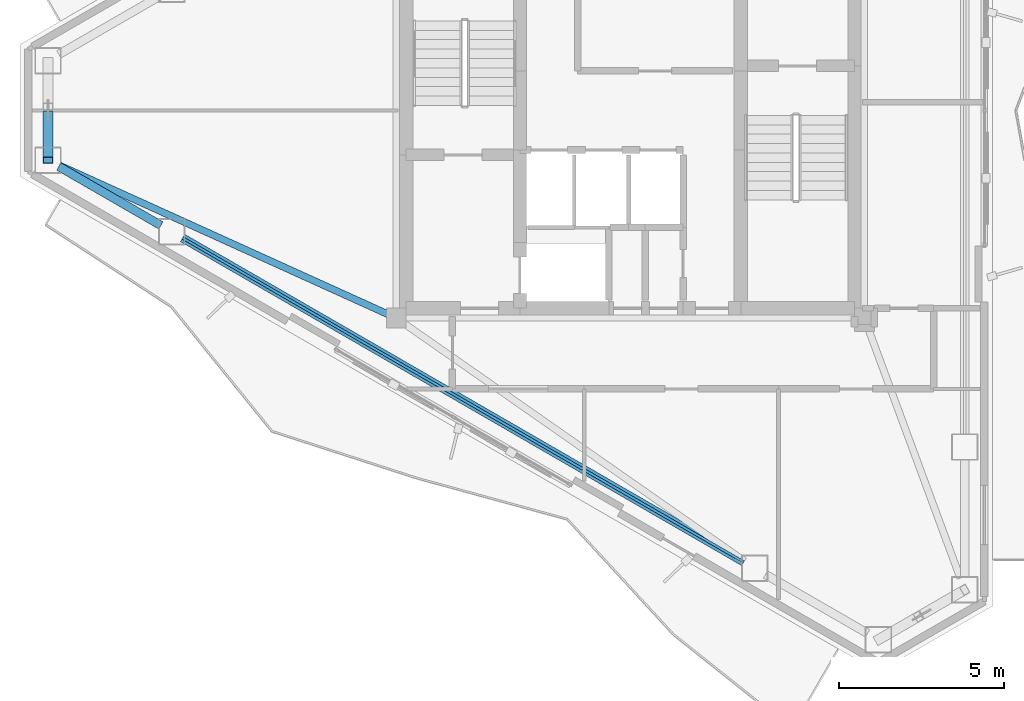
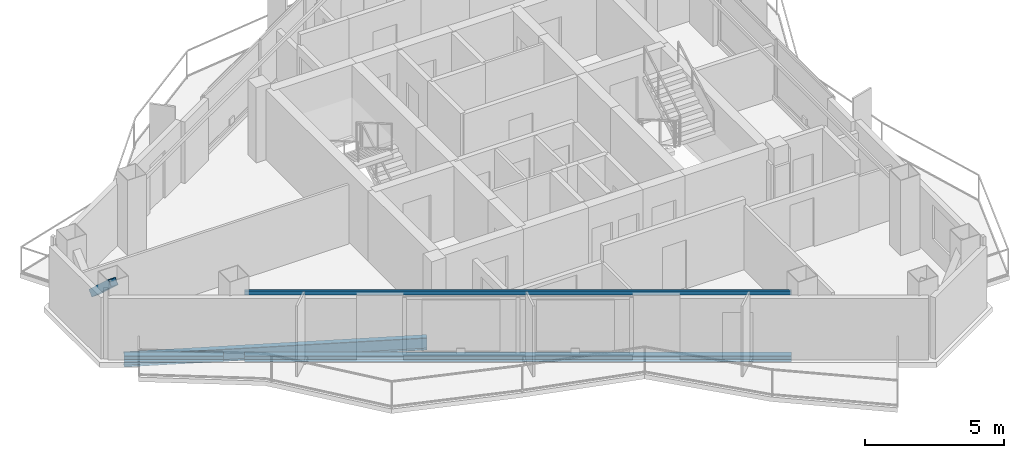
# One storey, part 3 of 18: 4 beams, 1 member.
"""IFC4 building model written with IfcOpenShell, lengths in metres."""

from ifc_helpers import new_model, si_unit, direction, frame, origin, origin_2d, place, context, subcontext, project, spatial, hollow_rectangle, i_section, extrude, material, material_profile, profile_set, type_object, element, save


model = new_model("IFC4")

# Units and contexts
model_context = context("Model", 3, precision=1e-05, world=origin(), true_north=direction((0.0, 1.0)))
body_context = subcontext(model_context, "Body", "Model", "MODEL_VIEW")
ifc_project = project(units=[si_unit("LENGTHUNIT", "METRE"), si_unit("AREAUNIT", "SQUARE_METRE"), si_unit("VOLUMEUNIT", "CUBIC_METRE"), si_unit("PLANEANGLEUNIT", "RADIAN"), si_unit("MASSUNIT", "GRAM", prefix="KILO")], contexts=[model_context])

# Site, building, storey
site_placement = place(None, origin())
site = spatial("IfcSite", under=ifc_project, at=site_placement, CompositionType="ELEMENT")
building_placement = place(site_placement, origin())
building = spatial("IfcBuilding", under=site, at=building_placement, Name="Mersakhor Tower and Convention Hall", CompositionType="ELEMENT")
storey_placement = place(building_placement, frame((0.0, 0.0, 243.0)))
storey = spatial("IfcBuildingStorey", under=building, at=storey_placement, Name="L68", CompositionType="ELEMENT", Elevation=243.0)

# Beams
ifc_material_1 = material(Name="Steel S355", Category="steel")
ifc_material_profile_1 = material_profile(ifc_material_1, i_section(OverallWidth=0.2099609375, OverallDepth=0.53662109375, WebThickness=0.0107421875, FlangeThickness=0.017333984375, at=origin_2d()), Name="UB 533x210x101")
ifc_profile_set_1 = profile_set([ifc_material_profile_1], Name="Steel S355")
beam_type_1 = type_object("IfcBeamType", Name="BM-FB-533", PredefinedType="BEAM", material=ifc_profile_set_1)
beam_1_placement = place(storey_placement, frame((21.64501953125, 20.565673828125, -0.48828125), z_axis=(-0.910860191929, 0.412715047895, 0.0), x_axis=(-0.412715047895, -0.910860191929, 0.0)))
element("IfcBeam", 1, at=beam_1_placement, inside=storey, type_object=beam_type_1, Name="L68 Primary Floor Girder FG-6", PredefinedType="BEAM", context=body_context, shape_type="SweptSolid", body=[
    extrude(i_section(OverallWidth=0.2099609375, OverallDepth=0.53662109375, WebThickness=0.0107421875, FlangeThickness=0.017333984375, at=origin_2d()), origin(), (0.0, 0.0, 1.0), 10.9423828125),
])
ifc_material_2 = material(Name="Steel S355", Category="steel")
ifc_material_profile_2 = material_profile(ifc_material_2, hollow_rectangle(XDim=0.080078125, YDim=0.179931640625, WallThickness=0.008056640625, at=origin_2d()), Name="RHS 180x80x8")
ifc_profile_set_2 = profile_set([ifc_material_profile_2], Name="Steel S355")
beam_type_2 = type_object("IfcBeamType", Name="BM-GRT-RHS180", PredefinedType="USERDEFINED", material=ifc_profile_set_2)
beam_2_placement = place(storey_placement, frame((32.4423828125, 13.050537109375, 2.47998046875), z_axis=(-0.866021610626, 0.500006569886, 0.0), x_axis=(-0.500006569886, -0.866021610626, 0.0)))
element("IfcBeam", 2, at=beam_2_placement, inside=storey, type_object=beam_type_2, Name="L68 Facade Support Girt GRT-F3", ObjectType="GIRT", PredefinedType="USERDEFINED", context=body_context, shape_type="SweptSolid", body=[
    extrude(hollow_rectangle(XDim=0.080078125, YDim=0.179931640625, WallThickness=0.008056640625, at=origin_2d()), origin(), (0.0, 0.0, 1.0), 19.661865234375),
])
ifc_material_3 = material(Name="Steel S355", Category="steel")
ifc_material_profile_3 = material_profile(ifc_material_3, i_section(OverallWidth=0.25634765625, OverallDepth=0.26025390625, WebThickness=0.01025390625, FlangeThickness=0.017333984375, at=origin_2d()), Name="UC 254x254x89")
ifc_profile_set_3 = profile_set([ifc_material_profile_3], Name="Steel S355")
beam_type_3 = type_object("IfcBeamType", Name="BM-SPD-UC254", PredefinedType="SPANDREL", material=ifc_profile_set_3)
beam_3_placement = place(storey_placement, frame((32.4423828125, 13.050537109375, -0.35009765625), z_axis=(-0.866021610626, 0.500006569886, 0.0), x_axis=(-0.500006569886, -0.866021610626, 0.0)))
element("IfcBeam", 3, at=beam_3_placement, inside=storey, type_object=beam_type_3, Name="L68 Perimeter Spandrel Beam SPB-10", PredefinedType="SPANDREL", context=body_context, shape_type="SweptSolid", body=[
    extrude(i_section(OverallWidth=0.25634765625, OverallDepth=0.26025390625, WebThickness=0.01025390625, FlangeThickness=0.017333984375, at=origin_2d()), origin(), (0.0, 0.0, 1.0), 19.661865234375),
])
beam_4_placement = place(storey_placement, frame((14.756591796875, 23.261474609375, -0.35009765625), z_axis=(-0.866032030752, 0.499988521579, 0.0), x_axis=(-0.499988521579, -0.866032030752, 0.0)))
element("IfcBeam", 4, at=beam_4_placement, inside=storey, type_object=beam_type_3, Name="L68 Perimeter Spandrel Beam SPB-11", PredefinedType="SPANDREL", context=body_context, shape_type="SweptSolid", body=[
    extrude(i_section(OverallWidth=0.25634765625, OverallDepth=0.26025390625, WebThickness=0.01025390625, FlangeThickness=0.017333984375, at=origin_2d()), origin(), (0.0, 0.0, 1.0), 3.57421875),
])

# Member
ifc_material_4 = material(Name="Steel S355", Category="steel")
ifc_material_profile_4 = material_profile(ifc_material_4, hollow_rectangle(XDim=0.300048828125, YDim=0.300048828125, WallThickness=0.01611328125, at=origin_2d()), Name="SHS 300x300x16")
ifc_profile_set_4 = profile_set([ifc_material_profile_4], Name="Steel S355")
member_type = type_object("IfcMemberType", Name="MB-BRC-SHS300", PredefinedType="BRACE", material=ifc_profile_set_4)
member_placement = place(storey_placement, frame((11.33203125, 26.63330078125, 1.647216796875), z_axis=(0.0, -0.735997778537, 0.676983951057), x_axis=(1.0, 0.0, 0.0)))
element("IfcMember", 5, at=member_placement, inside=storey, type_object=member_type, Name="L68 Chamfer Braced Frame Diagonal CB-3B Upper Half", PredefinedType="BRACE", context=body_context, shape_type="SweptSolid", body=[
    extrude(hollow_rectangle(XDim=0.300048828125, YDim=0.300048828125, WallThickness=0.01611328125, at=origin_2d()), origin(), (0.0, 0.0, 1.0), 1.894775390625),
])

save(model, "model.ifc")
